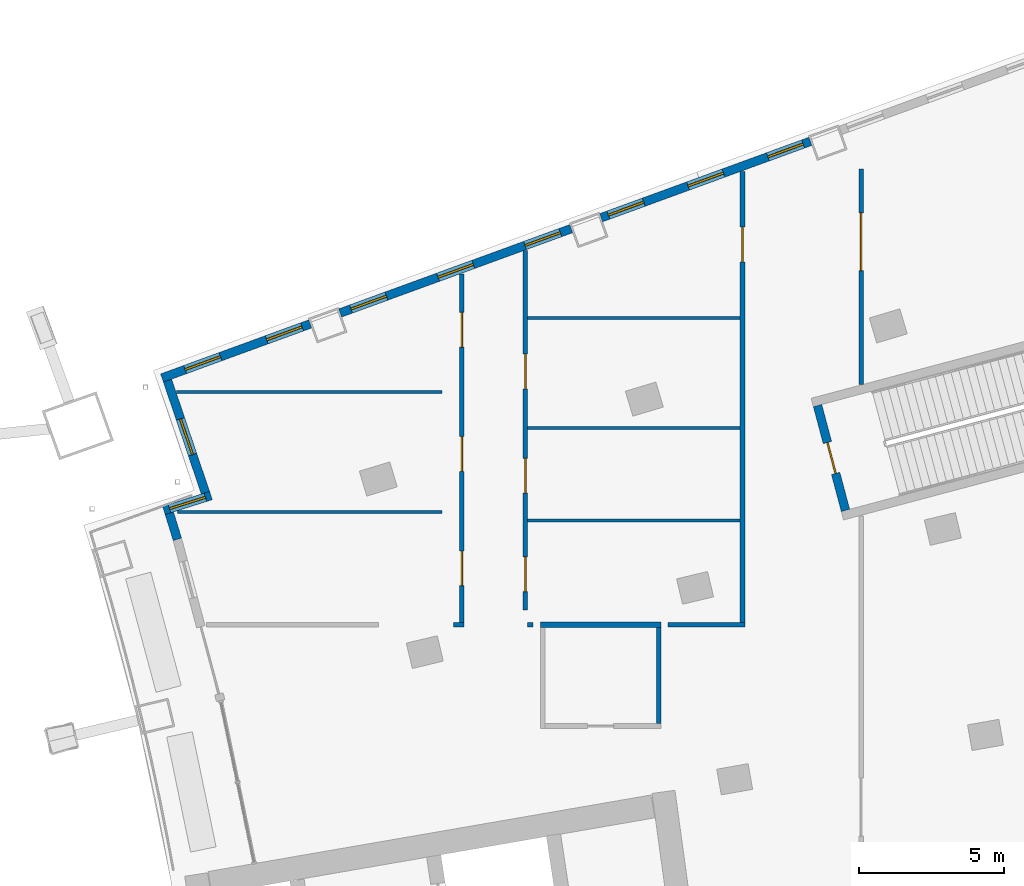
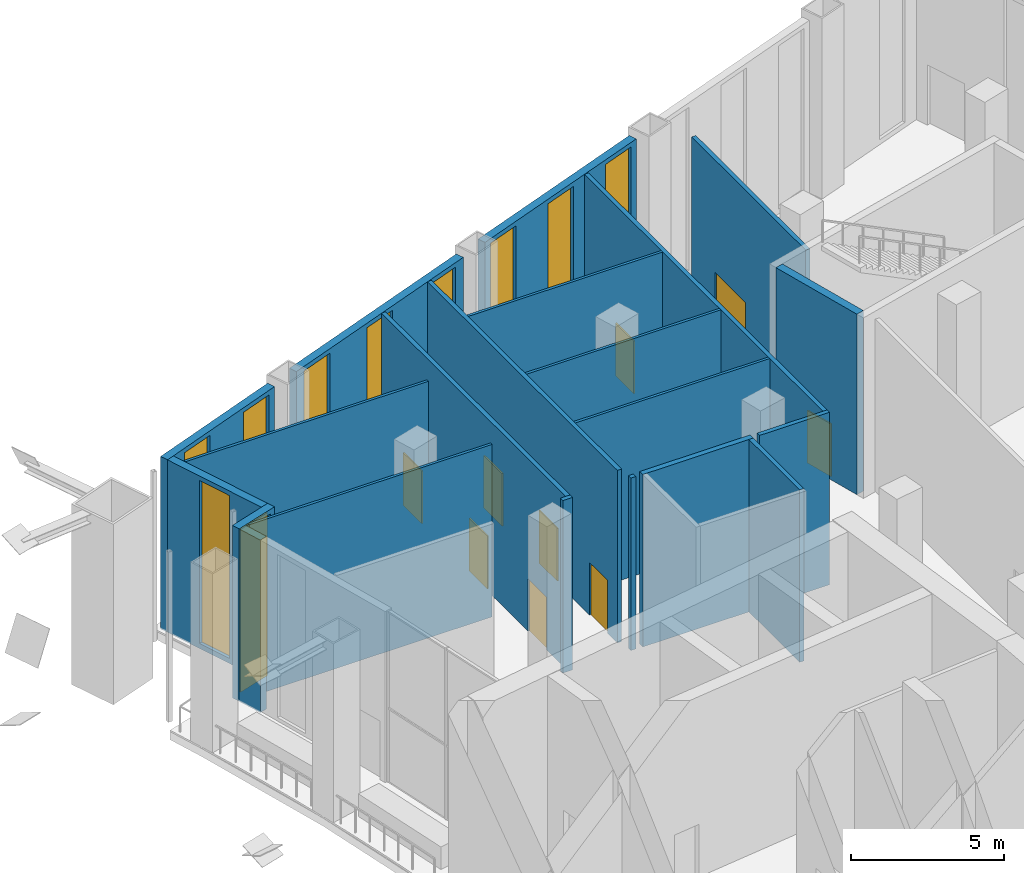
# One storey, part 19 of 27: 21 walls, 10 windows, 9 doors, 19 openings.
"""IFC4 building model written with IfcOpenShell, lengths in metres."""

from ifc_helpers import new_model, si_unit, direction, frame, frame_2d, origin, place, context, subcontext, project, spatial, rectangle, extrude, material, layer, layer_set, type_object, element, fill, save


model = new_model("IFC4")

# Units and contexts
model_context = context("Model", 3, precision=1e-05, world=origin(), true_north=direction((0.0, 1.0)))
body_context = subcontext(model_context, "Body", "Model", "MODEL_VIEW")
ifc_project = project(units=[si_unit("LENGTHUNIT", "METRE"), si_unit("AREAUNIT", "SQUARE_METRE"), si_unit("VOLUMEUNIT", "CUBIC_METRE"), si_unit("PLANEANGLEUNIT", "RADIAN"), si_unit("MASSUNIT", "GRAM", prefix="KILO")], contexts=[model_context])

# Site, building, storey
site_placement = place(None, origin())
site = spatial("IfcSite", under=ifc_project, at=site_placement, CompositionType="ELEMENT")
building_placement = place(site_placement, origin())
building = spatial("IfcBuilding", under=site, at=building_placement, Name="Alderwake Tower", CompositionType="ELEMENT")
storey_placement = place(building_placement, frame((0.0, 0.0, 75.199951171875)))
storey = spatial("IfcBuildingStorey", under=building, at=storey_placement, Name="L18", CompositionType="ELEMENT", Elevation=75.199951171875)

# Wall, opening, door
ifc_material_1 = material(Name="Concrete C70/85", Category="concrete")
ifc_layer_1 = layer(ifc_material_1, 0.300048828125)
ifc_layer_set_1 = layer_set([ifc_layer_1], Name="Core wall stair enclosure 300 C70-85")
wall_type_1 = type_object("IfcWallType", Name="Core wall stair enclosure 300 C70-85", PredefinedType="SHEAR", material=ifc_layer_set_1)
wall_1_placement = place(storey_placement, frame((37.8603515625, 90.452392578125, 0.0), z_axis=(0.0, 0.0, 1.0), x_axis=(-0.257411420208, 0.966301899381, 0.0)))
wall_1 = element("IfcWall", 1, at=wall_1_placement, inside=storey, type_object=wall_type_1, Name="Core wall CW.083", PredefinedType="SHEAR", context=body_context, shape_type="SweptSolid", body=[
    extrude(rectangle(XDim=3.750244140625, YDim=0.300048828125, at=frame_2d((1.875, 0.0))), origin(), (0.0, 0.0, 1.0), 7.199951171875),
])
opening_1_placement = place(wall_1_placement, frame((1.324951171875, 0.0, 0.0)))
opening_1 = element("IfcOpeningElement", 2, at=opening_1_placement, cuts=wall_1, Name="Opening C062", PredefinedType="OPENING", context=body_context, shape_type="SweptSolid", body=[
    extrude(rectangle(XDim=1.10009765625, YDim=2.10009765625, at=frame_2d((0.550048828125, 1.050048828125))), frame((0.0, 0.159912109375, 0.0), z_axis=(0.0, -1.0, 0.0), x_axis=(1.0, 0.0, 0.0)), (0.0, 0.0, 1.0), 0.320068359375),
])
ifc_material_2 = material(Name="Steel-framed fire door leaf", Category="steel")
door_type_1 = type_object("IfcDoorType", Name="Core stair door 1100 fire-rated", OperationType="SINGLE_SWING_LEFT", PredefinedType="DOOR", material=ifc_material_2)
door_1_placement = place(opening_1_placement, origin())
door_1 = element("IfcDoor", 3, at=door_1_placement, inside=storey, type_object=door_type_1, Name="Stair door", OperationType="SINGLE_SWING_RIGHT", OverallHeight=2.10009765625, OverallWidth=1.10009765625, PredefinedType="DOOR", context=body_context, shape_type="SweptSolid", body=[
    extrude(rectangle(XDim=1.10009765625, YDim=2.10009765625, at=frame_2d((0.550048828125, 1.050048828125))), frame((0.0, 0.02490234375, 0.0), z_axis=(0.0, -1.0, 0.0), x_axis=(1.0, 0.0, 0.0)), (0.0, 0.0, 1.0), 0.050048828125),
])
fill(opening_1, door_1)

# Wall
ifc_material_3 = material(Name="Gypsum board on metal studs, rated")
ifc_layer_2 = layer(ifc_material_3, 0.159912109375)
ifc_layer_set_2 = layer_set([ifc_layer_2], Name="Corridor wall 160")
wall_type_2 = type_object("IfcWallType", Name="Corridor wall 160", PredefinedType="PARTITIONING", material=ifc_layer_set_2)
wall_2_placement = place(storey_placement, frame((24.679931640625, 86.4990234375, 0.0), z_axis=(0.0, 0.0, 1.0), x_axis=(-1.0, 0.0, 0.0)))
element("IfcWall", 4, at=wall_2_placement, inside=storey, type_object=wall_type_2, Name="WL/L18/W10", PredefinedType="PARTITIONING", context=body_context, shape_type="SweptSolid", body=[
    extrude(rectangle(XDim=0.36181640625, YDim=0.159912109375, at=frame_2d((0.180908203125, 0.0))), origin(), (0.0, 0.0, 1.0), 6.880126953125),
])

# Wall, openings, doors
wall_3_placement = place(storey_placement, frame((24.60009765625, 98.62890625, 0.0), z_axis=(0.0, 0.0, 1.0), x_axis=(0.0, -1.0, 0.0)))
wall_3 = element("IfcWall", 5, at=wall_3_placement, inside=storey, type_object=wall_type_2, Name="WL/L18/W11", PredefinedType="PARTITIONING", context=body_context, shape_type="SweptSolid", body=[
    extrude(rectangle(XDim=12.0498046875, YDim=0.159912109375, at=frame_2d((6.02490234375, 0.0))), origin(), (0.0, 0.0, 1.0), 6.880126953125),
])
opening_2_placement = place(wall_3_placement, frame((9.5791015625, 0.0, 0.0)))
opening_2 = element("IfcOpeningElement", 6, at=opening_2_placement, cuts=wall_3, Name="Opening L18-09", PredefinedType="OPENING", context=body_context, shape_type="SweptSolid", body=[
    extrude(rectangle(XDim=1.199951171875, YDim=2.10009765625, at=frame_2d((0.60009765625, 1.050048828125))), frame((0.0, 0.08984375, 0.0), z_axis=(0.0, -1.0, 0.0), x_axis=(1.0, 0.0, 0.0)), (0.0, 0.0, 1.0), 0.179931640625),
])
opening_3_placement = place(wall_3_placement, frame((5.62890625, 0.0, 0.0)))
opening_3 = element("IfcOpeningElement", 7, at=opening_3_placement, cuts=wall_3, Name="Opening L18-10", PredefinedType="OPENING", context=body_context, shape_type="SweptSolid", body=[
    extrude(rectangle(XDim=1.199951171875, YDim=2.10009765625, at=frame_2d((0.60009765625, 1.050048828125))), frame((0.0, 0.08984375, 0.0), z_axis=(0.0, -1.0, 0.0), x_axis=(1.0, 0.0, 0.0)), (0.0, 0.0, 1.0), 0.179931640625),
])
opening_4_placement = place(wall_3_placement, frame((1.329345703125, 0.0, 0.0)))
opening_4 = element("IfcOpeningElement", 8, at=opening_4_placement, cuts=wall_3, Name="Opening L18-11", PredefinedType="OPENING", context=body_context, shape_type="SweptSolid", body=[
    extrude(rectangle(XDim=1.199951171875, YDim=2.10009765625, at=frame_2d((0.60009765625, 1.050048828125))), frame((0.0, 0.08984375, 0.0), z_axis=(0.0, -1.0, 0.0), x_axis=(1.0, 0.0, 0.0)), (0.0, 0.0, 1.0), 0.179931640625),
])
ifc_material_4 = material(Name="Steel door leaf in steel frame", Category="steel")
door_type_2 = type_object("IfcDoorType", Name="Plant room door 1200 steel", OperationType="SINGLE_SWING_LEFT", PredefinedType="DOOR", material=ifc_material_4)
door_2_placement = place(opening_2_placement, origin())
door_2 = element("IfcDoor", 9, at=door_2_placement, inside=storey, type_object=door_type_2, Name="DR/L18/09", OperationType="SINGLE_SWING_LEFT", OverallHeight=2.10009765625, OverallWidth=1.199951171875, PredefinedType="DOOR", context=body_context, shape_type="SweptSolid", body=[
    extrude(rectangle(XDim=1.199951171875, YDim=2.10009765625, at=frame_2d((0.60009765625, 1.050048828125))), frame((0.0, 0.02490234375, 0.0), z_axis=(0.0, -1.0, 0.0), x_axis=(1.0, 0.0, 0.0)), (0.0, 0.0, 1.0), 0.050048828125),
])
fill(opening_2, door_2)
door_3_placement = place(opening_3_placement, origin())
door_3 = element("IfcDoor", 10, at=door_3_placement, inside=storey, type_object=door_type_2, Name="DR/L18/10", OperationType="SINGLE_SWING_LEFT", OverallHeight=2.10009765625, OverallWidth=1.199951171875, PredefinedType="DOOR", context=body_context, shape_type="SweptSolid", body=[
    extrude(rectangle(XDim=1.199951171875, YDim=2.10009765625, at=frame_2d((0.60009765625, 1.050048828125))), frame((0.0, 0.02490234375, 0.0), z_axis=(0.0, -1.0, 0.0), x_axis=(1.0, 0.0, 0.0)), (0.0, 0.0, 1.0), 0.050048828125),
])
fill(opening_3, door_3)
door_4_placement = place(opening_4_placement, origin())
door_4 = element("IfcDoor", 11, at=door_4_placement, inside=storey, type_object=door_type_2, Name="DR/L18/11", OperationType="SINGLE_SWING_LEFT", OverallHeight=2.10009765625, OverallWidth=1.199951171875, PredefinedType="DOOR", context=body_context, shape_type="SweptSolid", body=[
    extrude(rectangle(XDim=1.199951171875, YDim=2.10009765625, at=frame_2d((0.60009765625, 1.050048828125))), frame((0.0, 0.02490234375, 0.0), z_axis=(0.0, -1.0, 0.0), x_axis=(1.0, 0.0, 0.0)), (0.0, 0.0, 1.0), 0.050048828125),
])
fill(opening_4, door_4)

wall_4_placement = place(storey_placement, frame((26.799072265625, 87.01904296875, 0.0), z_axis=(0.0, 0.0, 1.0), x_axis=(0.0, 1.0, 0.0)))
wall_4 = element("IfcWall", 12, at=wall_4_placement, inside=storey, type_object=wall_type_2, Name="WL/L18/W14", PredefinedType="PARTITIONING", context=body_context, shape_type="SweptSolid", body=[
    extrude(rectangle(XDim=12.4140625, YDim=0.159912109375, at=frame_2d((6.20703125, 0.0))), origin(), (0.0, 0.0, 1.0), 6.880126953125),
])
opening_5_placement = place(wall_4_placement, frame((0.631103515625, 0.0, 0.0)))
opening_5 = element("IfcOpeningElement", 13, at=opening_5_placement, cuts=wall_4, Name="Opening L18-12", PredefinedType="OPENING", context=body_context, shape_type="SweptSolid", body=[
    extrude(rectangle(XDim=1.199951171875, YDim=2.10009765625, at=frame_2d((0.60009765625, 1.050048828125))), frame((0.0, 0.08984375, 0.0), z_axis=(0.0, -1.0, 0.0), x_axis=(1.0, 0.0, 0.0)), (0.0, 0.0, 1.0), 0.179931640625),
])
opening_6_placement = place(wall_4_placement, frame((4.031005859375, 0.0, 0.0)))
opening_6 = element("IfcOpeningElement", 14, at=opening_6_placement, cuts=wall_4, Name="Opening L18-13", PredefinedType="OPENING", context=body_context, shape_type="SweptSolid", body=[
    extrude(rectangle(XDim=1.199951171875, YDim=2.10009765625, at=frame_2d((0.60009765625, 1.050048828125))), frame((0.0, 0.08984375, 0.0), z_axis=(0.0, -1.0, 0.0), x_axis=(1.0, 0.0, 0.0)), (0.0, 0.0, 1.0), 0.179931640625),
])
opening_7_placement = place(wall_4_placement, frame((7.631103515625, 0.0, 0.0)))
opening_7 = element("IfcOpeningElement", 15, at=opening_7_placement, cuts=wall_4, Name="Opening L18-14", PredefinedType="OPENING", context=body_context, shape_type="SweptSolid", body=[
    extrude(rectangle(XDim=1.199951171875, YDim=2.10009765625, at=frame_2d((0.60009765625, 1.050048828125))), frame((0.0, 0.08984375, 0.0), z_axis=(0.0, -1.0, 0.0), x_axis=(1.0, 0.0, 0.0)), (0.0, 0.0, 1.0), 0.179931640625),
])
door_5_placement = place(opening_5_placement, origin())
door_5 = element("IfcDoor", 16, at=door_5_placement, inside=storey, type_object=door_type_2, Name="DR/L18/12", OperationType="SINGLE_SWING_LEFT", OverallHeight=2.10009765625, OverallWidth=1.199951171875, PredefinedType="DOOR", context=body_context, shape_type="SweptSolid", body=[
    extrude(rectangle(XDim=1.199951171875, YDim=2.10009765625, at=frame_2d((0.60009765625, 1.050048828125))), frame((0.0, 0.02490234375, 0.0), z_axis=(0.0, -1.0, 0.0), x_axis=(1.0, 0.0, 0.0)), (0.0, 0.0, 1.0), 0.050048828125),
])
fill(opening_5, door_5)
door_6_placement = place(opening_6_placement, origin())
door_6 = element("IfcDoor", 17, at=door_6_placement, inside=storey, type_object=door_type_2, Name="DR/L18/13", OperationType="SINGLE_SWING_LEFT", OverallHeight=2.10009765625, OverallWidth=1.199951171875, PredefinedType="DOOR", context=body_context, shape_type="SweptSolid", body=[
    extrude(rectangle(XDim=1.199951171875, YDim=2.10009765625, at=frame_2d((0.60009765625, 1.050048828125))), frame((0.0, 0.02490234375, 0.0), z_axis=(0.0, -1.0, 0.0), x_axis=(1.0, 0.0, 0.0)), (0.0, 0.0, 1.0), 0.050048828125),
])
fill(opening_6, door_6)
door_7_placement = place(opening_7_placement, origin())
door_7 = element("IfcDoor", 18, at=door_7_placement, inside=storey, type_object=door_type_2, Name="DR/L18/14", OperationType="SINGLE_SWING_LEFT", OverallHeight=2.10009765625, OverallWidth=1.199951171875, PredefinedType="DOOR", context=body_context, shape_type="SweptSolid", body=[
    extrude(rectangle(XDim=1.199951171875, YDim=2.10009765625, at=frame_2d((0.60009765625, 1.050048828125))), frame((0.0, 0.02490234375, 0.0), z_axis=(0.0, -1.0, 0.0), x_axis=(1.0, 0.0, 0.0)), (0.0, 0.0, 1.0), 0.050048828125),
])
fill(opening_7, door_7)

# Walls
wall_5_placement = place(storey_placement, frame((27.065673828125, 86.4990234375, 0.0), z_axis=(0.0, 0.0, 1.0), x_axis=(-1.0, 0.0, 0.0)))
element("IfcWall", 19, at=wall_5_placement, inside=storey, type_object=wall_type_2, Name="WL/L18/W18", PredefinedType="PARTITIONING", context=body_context, shape_type="SweptSolid", body=[
    extrude(rectangle(XDim=0.186767578125, YDim=0.159912109375, at=frame_2d((0.09326171875, 0.0))), origin(), (0.0, 0.0, 1.0), 6.880126953125),
])
wall_6_placement = place(storey_placement, frame((31.40087890625, 86.39892578125, 0.0), z_axis=(0.0, 0.0, 1.0), x_axis=(0.0, -1.0, 0.0)))
element("IfcWall", 20, at=wall_6_placement, inside=storey, type_object=wall_type_2, Name="WL/L18/W20", PredefinedType="PARTITIONING", context=body_context, shape_type="SweptSolid", body=[
    extrude(rectangle(XDim=3.31787109375, YDim=0.159912109375, at=frame_2d((1.658935546875, 0.0))), origin(), (0.0, 0.0, 1.0), 6.880126953125),
])
wall_7_placement = place(storey_placement, frame((34.37890625, 86.4990234375, 0.0), z_axis=(0.0, 0.0, 1.0), x_axis=(-1.0, 0.0, 0.0)))
element("IfcWall", 21, at=wall_7_placement, inside=storey, type_object=wall_type_2, Name="WL/L18/W24", PredefinedType="PARTITIONING", context=body_context, shape_type="SweptSolid", body=[
    extrude(rectangle(XDim=2.64453125, YDim=0.159912109375, at=frame_2d((1.322265625, 0.0))), origin(), (0.0, 0.0, 1.0), 6.880126953125),
])

# Wall, opening, door
wall_8_placement = place(storey_placement, frame((34.299072265625, 102.1689453125, 0.0), z_axis=(0.0, 0.0, 1.0), x_axis=(0.0, -1.0, 0.0)))
wall_8 = element("IfcWall", 22, at=wall_8_placement, inside=storey, type_object=wall_type_2, Name="WL/L18/W25", PredefinedType="PARTITIONING", context=body_context, shape_type="SweptSolid", body=[
    extrude(rectangle(XDim=15.58984375, YDim=0.159912109375, at=frame_2d((7.794921875, 0.0))), origin(), (0.0, 0.0, 1.0), 6.880126953125),
])
opening_8_placement = place(wall_8_placement, frame((1.928466796875, 0.0, 0.0)))
opening_8 = element("IfcOpeningElement", 23, at=opening_8_placement, cuts=wall_8, Name="Opening L18-15", PredefinedType="OPENING", context=body_context, shape_type="SweptSolid", body=[
    extrude(rectangle(XDim=1.199951171875, YDim=2.10009765625, at=frame_2d((0.60009765625, 1.050048828125))), frame((0.0, 0.08984375, 0.0), z_axis=(0.0, -1.0, 0.0), x_axis=(1.0, 0.0, 0.0)), (0.0, 0.0, 1.0), 0.179931640625),
])
door_8_placement = place(opening_8_placement, origin())
door_8 = element("IfcDoor", 24, at=door_8_placement, inside=storey, type_object=door_type_2, Name="DR/L18/15", OperationType="SINGLE_SWING_LEFT", OverallHeight=2.10009765625, OverallWidth=1.199951171875, PredefinedType="DOOR", context=body_context, shape_type="SweptSolid", body=[
    extrude(rectangle(XDim=1.199951171875, YDim=2.10009765625, at=frame_2d((0.60009765625, 1.050048828125))), frame((0.0, 0.02490234375, 0.0), z_axis=(0.0, -1.0, 0.0), x_axis=(1.0, 0.0, 0.0)), (0.0, 0.0, 1.0), 0.050048828125),
])
fill(opening_8, door_8)

wall_9_placement = place(storey_placement, frame((38.39990234375, 94.80810546875, 0.0), z_axis=(0.0, 0.0, 1.0), x_axis=(0.0, 1.0, 0.0)))
wall_9 = element("IfcWall", 25, at=wall_9_placement, inside=storey, type_object=wall_type_2, Name="WL/L18/W28", PredefinedType="PARTITIONING", context=body_context, shape_type="SweptSolid", body=[
    extrude(rectangle(XDim=7.44677734375, YDim=0.159912109375, at=frame_2d((3.723388671875, 0.0))), origin(), (0.0, 0.0, 1.0), 6.880126953125),
])
opening_9_placement = place(wall_9_placement, frame((3.92919921875, 0.0, 0.0)))
opening_9 = element("IfcOpeningElement", 26, at=opening_9_placement, cuts=wall_9, Name="Opening L18-19", PredefinedType="OPENING", context=body_context, shape_type="SweptSolid", body=[
    extrude(rectangle(XDim=2.0, YDim=2.39990234375, at=frame_2d((1.0, 1.199951171875))), frame((0.0, 0.08984375, 0.0), z_axis=(0.0, -1.0, 0.0), x_axis=(1.0, 0.0, 0.0)), (0.0, 0.0, 1.0), 0.179931640625),
])
ifc_material_5 = material(Name="Timber leaves with glazed panels", Category="wood")
door_type_3 = type_object("IfcDoorType", Name="Hall double door 2000", OperationType="DOUBLE_DOOR_SINGLE_SWING", PredefinedType="DOOR", material=ifc_material_5)
door_9_placement = place(opening_9_placement, origin())
door_9 = element("IfcDoor", 27, at=door_9_placement, inside=storey, type_object=door_type_3, Name="DR/L18/19", OperationType="DOUBLE_DOOR_SINGLE_SWING", OverallHeight=2.39990234375, OverallWidth=2.0, PredefinedType="DOOR", context=body_context, shape_type="SweptSolid", body=[
    extrude(rectangle(XDim=2.0, YDim=2.39990234375, at=frame_2d((1.0, 1.199951171875))), frame((0.0, 0.02490234375, 0.0), z_axis=(0.0, -1.0, 0.0), x_axis=(1.0, 0.0, 0.0)), (0.0, 0.0, 1.0), 0.050048828125),
])
fill(opening_9, door_9)

# Wall
ifc_material_6 = material(Name="Precast concrete C50/60 spandrel panel", Category="concrete")
ifc_layer_3 = layer(ifc_material_6, 0.300048828125)
ifc_layer_set_3 = layer_set([ifc_layer_3], Name="External wall EW1 Precast concrete C50/60 spandrel")
wall_type_3 = type_object("IfcWallType", Name="External wall EW1 Precast concrete C50/60 spandrel", PredefinedType="SOLIDWALL", material=ifc_layer_set_3)
wall_10_placement = place(storey_placement, frame((14.4931640625, 90.35400390625, 0.0), z_axis=(0.0, 0.0, 1.0), x_axis=(0.294777455022, -0.955565932843, 0.0)))
element("IfcWall", 28, at=wall_10_placement, inside=storey, type_object=wall_type_3, Name="External wall 2", PredefinedType="SOLIDWALL", context=body_context, shape_type="SweptSolid", body=[
    extrude(rectangle(XDim=0.942626953125, YDim=0.300048828125, at=frame_2d((0.47119140625, 0.0))), origin(), (0.0, 0.0, 1.0), 6.880126953125),
])

# Wall, opening, window
ifc_material_7 = material(Name="Bronze metal cladding on lightweight framing")
ifc_layer_4 = layer(ifc_material_7, 0.300048828125)
ifc_layer_set_4 = layer_set([ifc_layer_4], Name="External wall EW2 bronze metal cladding")
wall_type_4 = type_object("IfcWallType", Name="External wall EW2 bronze metal cladding", PredefinedType="SOLIDWALL", material=ifc_layer_set_4)
wall_11_placement = place(storey_placement, frame((15.932373046875, 90.966552734375, 0.0), z_axis=(0.0, 0.0, 1.0), x_axis=(-0.953491772276, -0.301419044193, 0.0)))
wall_11 = element("IfcWall", 29, at=wall_11_placement, inside=storey, type_object=wall_type_4, Name="External wall 1", PredefinedType="SOLIDWALL", context=body_context, shape_type="SweptSolid", body=[
    extrude(rectangle(XDim=1.705810546875, YDim=0.300048828125, at=frame_2d((0.85302734375, 0.0))), origin(), (0.0, 0.0, 1.0), 6.880126953125),
])
opening_10_placement = place(wall_11_placement, frame((0.202880859375, 0.0, 0.199951171875)))
opening_10 = element("IfcOpeningElement", 30, at=opening_10_placement, cuts=wall_11, Name="Opening W5", PredefinedType="OPENING", context=body_context, shape_type="SweptSolid", body=[
    extrude(rectangle(XDim=1.300048828125, YDim=6.5, at=frame_2d((0.64990234375, 3.25))), frame((0.0, 0.159912109375, 0.0), z_axis=(0.0, -1.0, 0.0), x_axis=(1.0, 0.0, 0.0)), (0.0, 0.0, 1.0), 0.320068359375),
])
ifc_material_8 = material(Name="Bronze tinted glass in aluminium frame", Category="aluminium")
window_type = type_object("IfcWindowType", Name="Window W5 garden floor tall", PartitioningType="SINGLE_PANEL", PredefinedType="WINDOW", material=ifc_material_8)
window_1_placement = place(opening_10_placement, origin())
window_1 = element("IfcWindow", 31, at=window_1_placement, inside=storey, type_object=window_type, Name="Window W5 garden floor tall", OverallHeight=6.5, OverallWidth=1.300048828125, PartitioningType="SINGLE_PANEL", PredefinedType="WINDOW", context=body_context, shape_type="SweptSolid", body=[
    extrude(rectangle(XDim=1.300048828125, YDim=6.5, at=frame_2d((0.64990234375, 3.25))), frame((0.0, 0.030029296875, 0.0), z_axis=(0.0, -1.0, 0.0), x_axis=(1.0, 0.0, 0.0)), (0.0, 0.0, 1.0), 0.06005859375),
])
fill(opening_10, window_1)

# Wall, openings, windows
wall_12_placement = place(storey_placement, frame((36.645751953125, 103.20654296875, 0.0), z_axis=(0.0, 0.0, 1.0), x_axis=(-0.93936753929, -0.342911980148, 0.0)))
wall_12 = element("IfcWall", 32, at=wall_12_placement, inside=storey, type_object=wall_type_4, Name="External wall 23", PredefinedType="SOLIDWALL", context=body_context, shape_type="SweptSolid", body=[
    extrude(rectangle(XDim=7.695556640625, YDim=0.300048828125, at=frame_2d((3.84765625, 0.0))), origin(), (0.0, 0.0, 1.0), 6.880126953125),
])
opening_11_placement = place(wall_12_placement, frame((0.264404296875, 0.0, 0.199951171875)))
opening_11 = element("IfcOpeningElement", 33, at=opening_11_placement, cuts=wall_12, Name="Opening W5", PredefinedType="OPENING", context=body_context, shape_type="SweptSolid", body=[
    extrude(rectangle(XDim=1.300048828125, YDim=6.5, at=frame_2d((0.64990234375, 3.25))), frame((0.0, 0.159912109375, 0.0), z_axis=(0.0, -1.0, 0.0), x_axis=(1.0, 0.0, 0.0)), (0.0, 0.0, 1.0), 0.320068359375),
])
opening_12_placement = place(wall_12_placement, frame((3.197998046875, 0.0, 0.199951171875)))
opening_12 = element("IfcOpeningElement", 34, at=opening_12_placement, cuts=wall_12, Name="Opening W5", PredefinedType="OPENING", context=body_context, shape_type="SweptSolid", body=[
    extrude(rectangle(XDim=1.300048828125, YDim=6.5, at=frame_2d((0.64990234375, 3.25))), frame((0.0, 0.159912109375, 0.0), z_axis=(0.0, -1.0, 0.0), x_axis=(1.0, 0.0, 0.0)), (0.0, 0.0, 1.0), 0.320068359375),
])
opening_13_placement = place(wall_12_placement, frame((6.13134765625, 0.0, 0.199951171875)))
opening_13 = element("IfcOpeningElement", 35, at=opening_13_placement, cuts=wall_12, Name="Opening W5", PredefinedType="OPENING", context=body_context, shape_type="SweptSolid", body=[
    extrude(rectangle(XDim=1.300048828125, YDim=6.5, at=frame_2d((0.64990234375, 3.25))), frame((0.0, 0.159912109375, 0.0), z_axis=(0.0, -1.0, 0.0), x_axis=(1.0, 0.0, 0.0)), (0.0, 0.0, 1.0), 0.320068359375),
])
window_2_placement = place(opening_11_placement, origin())
window_2 = element("IfcWindow", 36, at=window_2_placement, inside=storey, type_object=window_type, Name="Window W5 garden floor tall", OverallHeight=6.5, OverallWidth=1.300048828125, PartitioningType="SINGLE_PANEL", PredefinedType="WINDOW", context=body_context, shape_type="SweptSolid", body=[
    extrude(rectangle(XDim=1.300048828125, YDim=6.5, at=frame_2d((0.64990234375, 3.25))), frame((0.0, 0.030029296875, 0.0), z_axis=(0.0, -1.0, 0.0), x_axis=(1.0, 0.0, 0.0)), (0.0, 0.0, 1.0), 0.06005859375),
])
fill(opening_11, window_2)
window_3_placement = place(opening_12_placement, origin())
window_3 = element("IfcWindow", 37, at=window_3_placement, inside=storey, type_object=window_type, Name="Window W5 garden floor tall", OverallHeight=6.5, OverallWidth=1.300048828125, PartitioningType="SINGLE_PANEL", PredefinedType="WINDOW", context=body_context, shape_type="SweptSolid", body=[
    extrude(rectangle(XDim=1.300048828125, YDim=6.5, at=frame_2d((0.64990234375, 3.25))), frame((0.0, 0.030029296875, 0.0), z_axis=(0.0, -1.0, 0.0), x_axis=(1.0, 0.0, 0.0)), (0.0, 0.0, 1.0), 0.06005859375),
])
fill(opening_12, window_3)
window_4_placement = place(opening_13_placement, origin())
window_4 = element("IfcWindow", 38, at=window_4_placement, inside=storey, type_object=window_type, Name="Window W5 garden floor tall", OverallHeight=6.5, OverallWidth=1.300048828125, PartitioningType="SINGLE_PANEL", PredefinedType="WINDOW", context=body_context, shape_type="SweptSolid", body=[
    extrude(rectangle(XDim=1.300048828125, YDim=6.5, at=frame_2d((0.64990234375, 3.25))), frame((0.0, 0.030029296875, 0.0), z_axis=(0.0, -1.0, 0.0), x_axis=(1.0, 0.0, 0.0)), (0.0, 0.0, 1.0), 0.06005859375),
])
fill(opening_13, window_4)

wall_13_placement = place(storey_placement, frame((28.37890625, 100.18896484375, 0.0), z_axis=(0.0, 0.0, 1.0), x_axis=(-0.939369809957, -0.342905759856, 0.0)))
wall_13 = element("IfcWall", 39, at=wall_13_placement, inside=storey, type_object=wall_type_4, Name="External wall 24", PredefinedType="SOLIDWALL", context=body_context, shape_type="SweptSolid", body=[
    extrude(rectangle(XDim=8.495361328125, YDim=0.300048828125, at=frame_2d((4.24755859375, 0.0))), origin(), (0.0, 0.0, 1.0), 6.880126953125),
])
opening_14_placement = place(wall_13_placement, frame((0.397705078125, 0.0, 0.199951171875)))
opening_14 = element("IfcOpeningElement", 40, at=opening_14_placement, cuts=wall_13, Name="Opening W5", PredefinedType="OPENING", context=body_context, shape_type="SweptSolid", body=[
    extrude(rectangle(XDim=1.300048828125, YDim=6.5, at=frame_2d((0.64990234375, 3.25))), frame((0.0, 0.159912109375, 0.0), z_axis=(0.0, -1.0, 0.0), x_axis=(1.0, 0.0, 0.0)), (0.0, 0.0, 1.0), 0.320068359375),
])
opening_15_placement = place(wall_13_placement, frame((3.59765625, 0.0, 0.199951171875)))
opening_15 = element("IfcOpeningElement", 41, at=opening_15_placement, cuts=wall_13, Name="Opening W5", PredefinedType="OPENING", context=body_context, shape_type="SweptSolid", body=[
    extrude(rectangle(XDim=1.300048828125, YDim=6.5, at=frame_2d((0.64990234375, 3.25))), frame((0.0, 0.159912109375, 0.0), z_axis=(0.0, -1.0, 0.0), x_axis=(1.0, 0.0, 0.0)), (0.0, 0.0, 1.0), 0.320068359375),
])
opening_16_placement = place(wall_13_placement, frame((6.7978515625, 0.0, 0.199951171875)))
opening_16 = element("IfcOpeningElement", 42, at=opening_16_placement, cuts=wall_13, Name="Opening W5", PredefinedType="OPENING", context=body_context, shape_type="SweptSolid", body=[
    extrude(rectangle(XDim=1.300048828125, YDim=6.5, at=frame_2d((0.64990234375, 3.25))), frame((0.0, 0.159912109375, 0.0), z_axis=(0.0, -1.0, 0.0), x_axis=(1.0, 0.0, 0.0)), (0.0, 0.0, 1.0), 0.320068359375),
])
window_5_placement = place(opening_14_placement, origin())
window_5 = element("IfcWindow", 43, at=window_5_placement, inside=storey, type_object=window_type, Name="Window W5 garden floor tall", OverallHeight=6.5, OverallWidth=1.300048828125, PartitioningType="SINGLE_PANEL", PredefinedType="WINDOW", context=body_context, shape_type="SweptSolid", body=[
    extrude(rectangle(XDim=1.300048828125, YDim=6.5, at=frame_2d((0.64990234375, 3.25))), frame((0.0, 0.030029296875, 0.0), z_axis=(0.0, -1.0, 0.0), x_axis=(1.0, 0.0, 0.0)), (0.0, 0.0, 1.0), 0.06005859375),
])
fill(opening_14, window_5)
window_6_placement = place(opening_15_placement, origin())
window_6 = element("IfcWindow", 44, at=window_6_placement, inside=storey, type_object=window_type, Name="Window W5 garden floor tall", OverallHeight=6.5, OverallWidth=1.300048828125, PartitioningType="SINGLE_PANEL", PredefinedType="WINDOW", context=body_context, shape_type="SweptSolid", body=[
    extrude(rectangle(XDim=1.300048828125, YDim=6.5, at=frame_2d((0.64990234375, 3.25))), frame((0.0, 0.030029296875, 0.0), z_axis=(0.0, -1.0, 0.0), x_axis=(1.0, 0.0, 0.0)), (0.0, 0.0, 1.0), 0.06005859375),
])
fill(opening_15, window_6)
window_7_placement = place(opening_16_placement, origin())
window_7 = element("IfcWindow", 45, at=window_7_placement, inside=storey, type_object=window_type, Name="Window W5 garden floor tall", OverallHeight=6.5, OverallWidth=1.300048828125, PartitioningType="SINGLE_PANEL", PredefinedType="WINDOW", context=body_context, shape_type="SweptSolid", body=[
    extrude(rectangle(XDim=1.300048828125, YDim=6.5, at=frame_2d((0.64990234375, 3.25))), frame((0.0, 0.030029296875, 0.0), z_axis=(0.0, -1.0, 0.0), x_axis=(1.0, 0.0, 0.0)), (0.0, 0.0, 1.0), 0.06005859375),
])
fill(opening_16, window_7)

wall_14_placement = place(storey_placement, frame((19.360595703125, 96.89697265625, 0.0), z_axis=(0.0, 0.0, 1.0), x_axis=(-0.939360985368, -0.342929933321, 0.0)))
wall_14 = element("IfcWall", 46, at=wall_14_placement, inside=storey, type_object=wall_type_4, Name="External wall 25", PredefinedType="SOLIDWALL", context=body_context, shape_type="SweptSolid", body=[
    extrude(rectangle(XDim=5.448974609375, YDim=0.300048828125, at=frame_2d((2.724609375, 0.0))), origin(), (0.0, 0.0, 1.0), 6.880126953125),
])
opening_17_placement = place(wall_14_placement, frame((0.2978515625, 0.0, 0.199951171875)))
opening_17 = element("IfcOpeningElement", 47, at=opening_17_placement, cuts=wall_14, Name="Opening W5", PredefinedType="OPENING", context=body_context, shape_type="SweptSolid", body=[
    extrude(rectangle(XDim=1.300048828125, YDim=6.5, at=frame_2d((0.64990234375, 3.25))), frame((0.0, 0.159912109375, 0.0), z_axis=(0.0, -1.0, 0.0), x_axis=(1.0, 0.0, 0.0)), (0.0, 0.0, 1.0), 0.320068359375),
])
opening_18_placement = place(wall_14_placement, frame((3.298583984375, 0.0, 0.199951171875)))
opening_18 = element("IfcOpeningElement", 48, at=opening_18_placement, cuts=wall_14, Name="Opening W5", PredefinedType="OPENING", context=body_context, shape_type="SweptSolid", body=[
    extrude(rectangle(XDim=1.300048828125, YDim=6.5, at=frame_2d((0.64990234375, 3.25))), frame((0.0, 0.159912109375, 0.0), z_axis=(0.0, -1.0, 0.0), x_axis=(1.0, 0.0, 0.0)), (0.0, 0.0, 1.0), 0.320068359375),
])
window_8_placement = place(opening_17_placement, origin())
window_8 = element("IfcWindow", 49, at=window_8_placement, inside=storey, type_object=window_type, Name="Window W5 garden floor tall", OverallHeight=6.5, OverallWidth=1.300048828125, PartitioningType="SINGLE_PANEL", PredefinedType="WINDOW", context=body_context, shape_type="SweptSolid", body=[
    extrude(rectangle(XDim=1.300048828125, YDim=6.5, at=frame_2d((0.64990234375, 3.25))), frame((0.0, 0.030029296875, 0.0), z_axis=(0.0, -1.0, 0.0), x_axis=(1.0, 0.0, 0.0)), (0.0, 0.0, 1.0), 0.06005859375),
])
fill(opening_17, window_8)
window_9_placement = place(opening_18_placement, origin())
window_9 = element("IfcWindow", 50, at=window_9_placement, inside=storey, type_object=window_type, Name="Window W5 garden floor tall", OverallHeight=6.5, OverallWidth=1.300048828125, PartitioningType="SINGLE_PANEL", PredefinedType="WINDOW", context=body_context, shape_type="SweptSolid", body=[
    extrude(rectangle(XDim=1.300048828125, YDim=6.5, at=frame_2d((0.64990234375, 3.25))), frame((0.0, 0.030029296875, 0.0), z_axis=(0.0, -1.0, 0.0), x_axis=(1.0, 0.0, 0.0)), (0.0, 0.0, 1.0), 0.06005859375),
])
fill(opening_18, window_9)

# Wall, opening, window
wall_15_placement = place(storey_placement, frame((14.430908203125, 94.937744140625, 0.0), z_axis=(0.0, 0.0, 1.0), x_axis=(0.320379458656, -0.947289291859, 0.0)))
wall_15 = element("IfcWall", 51, at=wall_15_placement, inside=storey, type_object=wall_type_4, Name="External wall 26", PredefinedType="SOLIDWALL", context=body_context, shape_type="SweptSolid", body=[
    extrude(rectangle(XDim=4.08984375, YDim=0.300048828125, at=frame_2d((2.044921875, 0.0))), origin(), (0.0, 0.0, 1.0), 6.880126953125),
])
opening_19_placement = place(wall_15_placement, frame((1.39501953125, 0.0, 0.199951171875)))
opening_19 = element("IfcOpeningElement", 52, at=opening_19_placement, cuts=wall_15, Name="Opening W5", PredefinedType="OPENING", context=body_context, shape_type="SweptSolid", body=[
    extrude(rectangle(XDim=1.300048828125, YDim=6.5, at=frame_2d((0.64990234375, 3.25))), frame((0.0, 0.159912109375, 0.0), z_axis=(0.0, -1.0, 0.0), x_axis=(1.0, 0.0, 0.0)), (0.0, 0.0, 1.0), 0.320068359375),
])
window_10_placement = place(opening_19_placement, origin())
window_10 = element("IfcWindow", 53, at=window_10_placement, inside=storey, type_object=window_type, Name="Window W5 garden floor tall", OverallHeight=6.5, OverallWidth=1.300048828125, PartitioningType="SINGLE_PANEL", PredefinedType="WINDOW", context=body_context, shape_type="SweptSolid", body=[
    extrude(rectangle(XDim=1.300048828125, YDim=6.5, at=frame_2d((0.64990234375, 3.25))), frame((0.0, 0.030029296875, 0.0), z_axis=(0.0, -1.0, 0.0), x_axis=(1.0, 0.0, 0.0)), (0.0, 0.0, 1.0), 0.06005859375),
])
fill(opening_19, window_10)

# Walls
ifc_material_9 = material(Name="Dense block masonry wall", Category="masonry")
ifc_layer_5 = layer(ifc_material_9, 0.199951171875)
ifc_layer_set_5 = layer_set([ifc_layer_5], Name="Party wall 200")
wall_type_5 = type_object("IfcWallType", Name="Party wall 200", PredefinedType="SOLIDWALL", material=ifc_layer_set_5)
wall_16_placement = place(storey_placement, frame((31.48095703125, 86.4990234375, 0.0), z_axis=(0.0, 0.0, 1.0), x_axis=(-1.0, 0.0, 0.0)))
element("IfcWall", 54, at=wall_16_placement, inside=storey, type_object=wall_type_5, Name="WL/L18/W02", PredefinedType="SOLIDWALL", context=body_context, shape_type="SweptSolid", body=[
    extrude(rectangle(XDim=4.161865234375, YDim=0.199951171875, at=frame_2d((2.0810546875, 0.0))), origin(), (0.0, 0.0, 1.0), 6.880126953125),
])
ifc_material_10 = material(Name="Gypsum board on metal studs")
ifc_layer_6 = layer(ifc_material_10, 0.10009765625)
ifc_layer_set_6 = layer_set([ifc_layer_6], Name="Unit partition 100")
wall_type_6 = type_object("IfcWallType", Name="Unit partition 100", PredefinedType="PARTITIONING", material=ifc_layer_set_6)
wall_17_placement = place(storey_placement, frame((23.919921875, 90.39892578125, 0.0), z_axis=(0.0, 0.0, 1.0), x_axis=(-1.0, 0.0, 0.0)))
element("IfcWall", 55, at=wall_17_placement, inside=storey, type_object=wall_type_6, Name="WL/L18/W32", PredefinedType="PARTITIONING", context=body_context, shape_type="SweptSolid", body=[
    extrude(rectangle(XDim=9.15283203125, YDim=0.10009765625, at=frame_2d((4.576416015625, 0.0))), origin(), (0.0, 0.0, 1.0), 6.880126953125),
])
wall_18_placement = place(storey_placement, frame((23.919921875, 94.551025390625, 0.0), z_axis=(0.0, 0.0, 1.0), x_axis=(-1.0, 0.0, 0.0)))
element("IfcWall", 56, at=wall_18_placement, inside=storey, type_object=wall_type_6, Name="WL/L18/W33", PredefinedType="PARTITIONING", context=body_context, shape_type="SweptSolid", body=[
    extrude(rectangle(XDim=9.177001953125, YDim=0.10009765625, at=frame_2d((4.58837890625, 0.0))), origin(), (0.0, 0.0, 1.0), 6.880126953125),
])
for number, where, z_axis, x_axis, name in (
    (57, (34.218994140625, 90.09912109375, 0.0), (0.0, 0.0, 1.0), (-1.0, 0.0, 0.0), "WL/L18/W38"),
    (58, (34.218994140625, 93.300048828125, 0.0), (0.0, 0.0, 1.0), (-1.0, 0.0, 0.0), "WL/L18/W39"),
    (59, (34.218994140625, 97.10107421875, 0.0), (0.0, 0.0, 1.0), (-1.0, 0.0, 0.0), "WL/L18/W40"),
):
    element("IfcWall", number, at=place(storey_placement, frame(where, z_axis=z_axis, x_axis=x_axis)), inside=storey, type_object=wall_type_6, Name=name, PredefinedType="PARTITIONING", context=body_context, shape_type="SweptSolid", body=[
        extrude(rectangle(XDim=7.340087890625, YDim=0.10009765625, at=frame_2d((3.669921875, 0.0))), origin(), (0.0, 0.0, 1.0), 6.880126953125),
    ])

save(model, "model.ifc")
